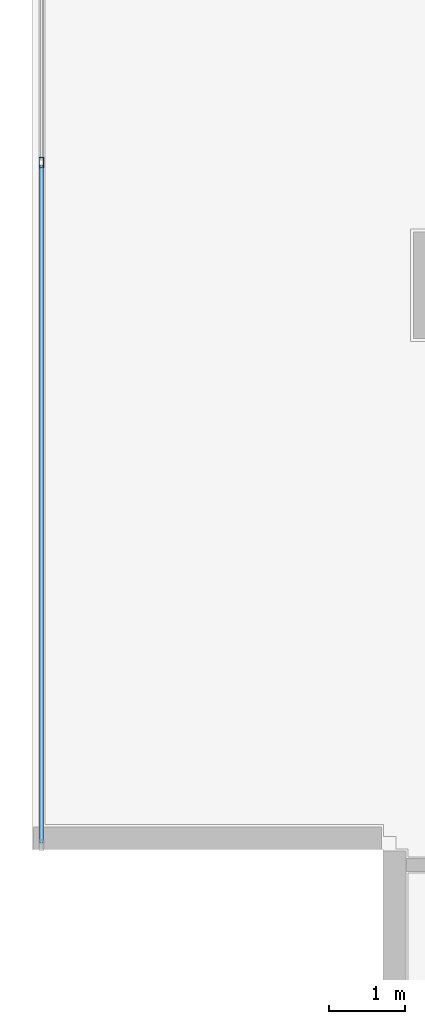
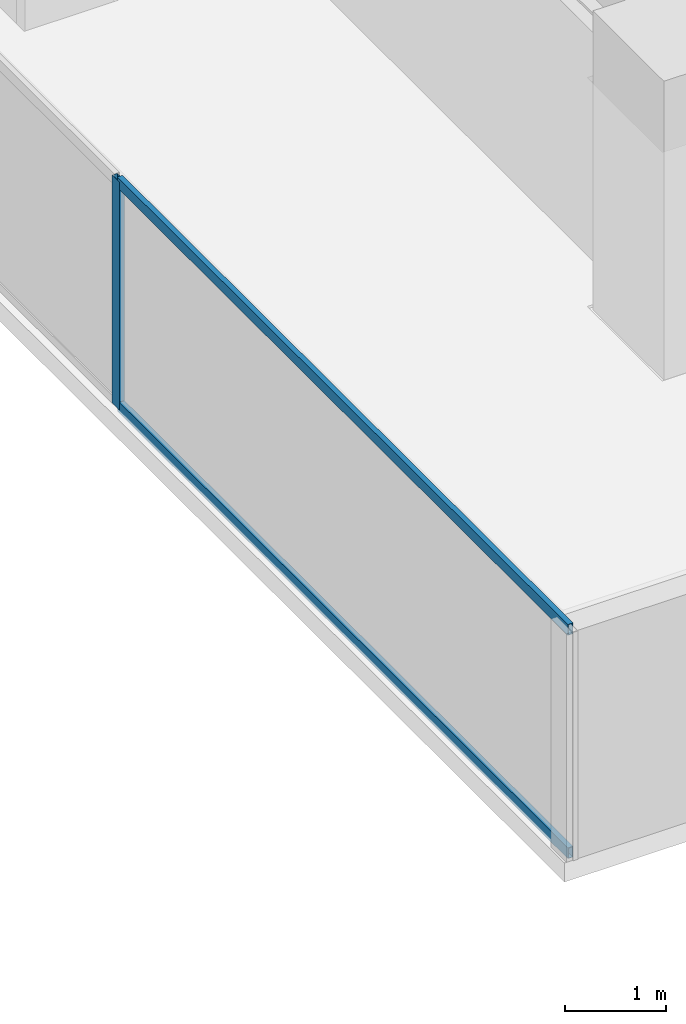
# One storey, part 4 of 27: 3 members, 1 element without a shape of its own.
"""IFC4 building model written with IfcOpenShell, lengths in metres."""

from ifc_helpers import new_model, si_unit, direction, frame, origin, origin_2d, place, context, subcontext, project, spatial, hollow_rectangle, extrude, source, transform, mapped, material, layer, layer_set, material_profile, profile_set, type_object, element, aggregate, save


model = new_model("IFC4")

# Units and contexts
model_context = context("Model", 3, precision=1e-05, world=origin(), true_north=direction((0.0, 1.0)))
body_context = subcontext(model_context, "Body", "Model", "MODEL_VIEW")
ifc_project = project(units=[si_unit("LENGTHUNIT", "METRE"), si_unit("AREAUNIT", "SQUARE_METRE"), si_unit("VOLUMEUNIT", "CUBIC_METRE"), si_unit("PLANEANGLEUNIT", "RADIAN"), si_unit("MASSUNIT", "GRAM", prefix="KILO")], contexts=[model_context])

# Site, building, storey
site_placement = place(None, origin())
site = spatial("IfcSite", under=ifc_project, at=site_placement, CompositionType="ELEMENT")
building_placement = place(site_placement, origin())
building = spatial("IfcBuilding", under=site, at=building_placement, Name="Sumidabori Civic Tower", CompositionType="ELEMENT")
storey_placement = place(building_placement, frame((0.0, 0.0, 257.60009765625)))
storey = spatial("IfcBuildingStorey", under=building, at=storey_placement, Name="L67", CompositionType="ELEMENT", Elevation=257.60009765625)

# Curtain wall, members
ifc_material = material(Name="Anodised Bronze Aluminium AW-6063-T6", Category="aluminium")
ifc_layer = layer(ifc_material, 0.179931640625, Name="Anodised Bronze Aluminium AW-6063-T6")
ifc_layer_set = layer_set([ifc_layer], Name="Anodised Bronze Aluminium AW-6063-T6")
curtain_wall_type = type_object("IfcCurtainWallType", Name="CW-SYS-5", PredefinedType="NOTDEFINED", material=ifc_layer_set)
curtain_wall_placement = place(storey_placement, origin())
curtain_wall = element("IfcCurtainWall", 1, at=curtain_wall_placement, inside=storey, type_object=curtain_wall_type, Name="Curtain Wall CW:L67:R10", PredefinedType="NOTDEFINED")
ifc_material_profile_1 = material_profile(ifc_material, hollow_rectangle(XDim=0.06005859375, YDim=0.139892578125, WallThickness=0.0048828125, at=origin_2d()), Name="ALU MULLION 140x60")
ifc_profile_set_1 = profile_set([ifc_material_profile_1], Name="Anodised Bronze Aluminium AW-6063-T6")
member_type_1 = type_object("IfcMemberType", Name="CW-MUL-140", PredefinedType="MULLION", material=ifc_profile_set_1)
shared_shape_1 = source(origin(), body_context, "Body", "SweptSolid", [
    extrude(hollow_rectangle(XDim=0.06005859375, YDim=0.139892578125, WallThickness=0.0048828125, at=origin_2d()), origin(), (0.0, 0.0, 1.0), 2.75),
])
member_1_placement = place(storey_placement, frame((-22.3798828125, 1.610107421875, 0.0), z_axis=(0.0, 0.0, 1.0), x_axis=(1.0, 0.0, 0.0)))
member_1 = element("IfcMember", 2, at=member_1_placement, type_object=member_type_1, Name="CW-5 mullion 3", PredefinedType="MULLION", context=body_context, shape_type="MappedRepresentation", body=[
    mapped(shared_shape_1, transform((0.0, 0.0, 0.0), x_axis=(1.0, 0.0, 0.0), y_axis=(0.0, 1.0, 0.0), z_axis=(0.0, 0.0, 1.0), scale=1.0)),
])
ifc_material_profile_2 = material_profile(ifc_material, hollow_rectangle(XDim=0.06005859375, YDim=0.1298828125, WallThickness=0.0048828125, at=origin_2d()), Name="ALU TRANSOM 130x60")
ifc_profile_set_2 = profile_set([ifc_material_profile_2], Name="Anodised Bronze Aluminium AW-6063-T6")
member_type_2 = type_object("IfcMemberType", Name="CW-TRN-130", PredefinedType="USERDEFINED", material=ifc_profile_set_2)
shared_shape_2 = source(origin(), body_context, "Body", "SweptSolid", [
    extrude(hollow_rectangle(XDim=0.06005859375, YDim=0.1298828125, WallThickness=0.0048828125, at=origin_2d()), origin(), (0.0, 0.0, 1.0), 8.89013671875),
])
member_2_placement = place(storey_placement, frame((-22.3798828125, 1.580078125, 0.02978515625), z_axis=(0.0, -1.0, 0.0), x_axis=(1.0, 0.0, 0.0)))
member_2 = element("IfcMember", 3, at=member_2_placement, type_object=member_type_2, Name="CW-5 transom 3.1", ObjectType="TRANSOM", PredefinedType="USERDEFINED", context=body_context, shape_type="MappedRepresentation", body=[
    mapped(shared_shape_2, transform((0.0, 0.0, 0.0), x_axis=(1.0, 0.0, 0.0), y_axis=(0.0, 1.0, 0.0), z_axis=(0.0, 0.0, 1.0), scale=1.0)),
])
member_3_placement = place(storey_placement, frame((-22.3798828125, 1.580078125, 2.719970703125), z_axis=(0.0, -1.0, 0.0), x_axis=(1.0, 0.0, 0.0)))
member_3 = element("IfcMember", 4, at=member_3_placement, type_object=member_type_2, Name="CW-5 transom 3.2", ObjectType="TRANSOM", PredefinedType="USERDEFINED", context=body_context, shape_type="MappedRepresentation", body=[
    mapped(shared_shape_2, transform((0.0, 0.0, 0.0), x_axis=(1.0, 0.0, 0.0), y_axis=(0.0, 1.0, 0.0), z_axis=(0.0, 0.0, 1.0), scale=1.0)),
])
aggregate(curtain_wall, [member_1, member_2, member_3])

save(model, "model.ifc")
